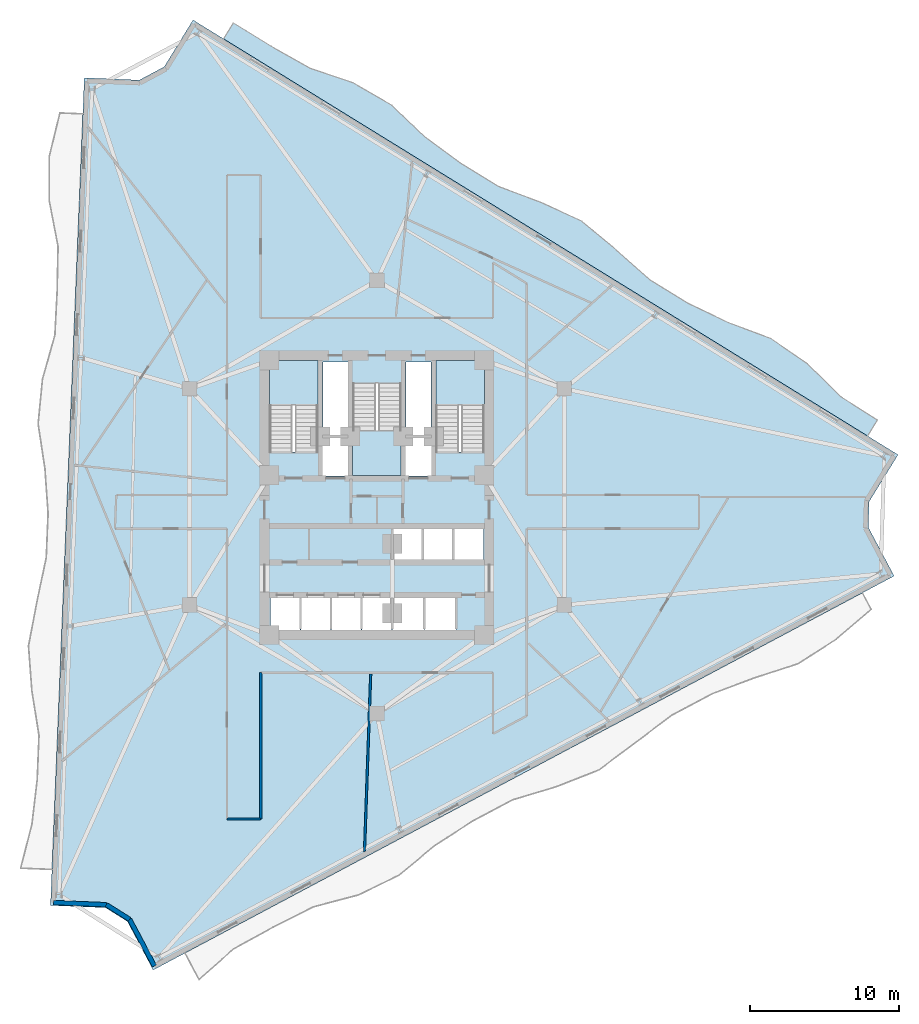
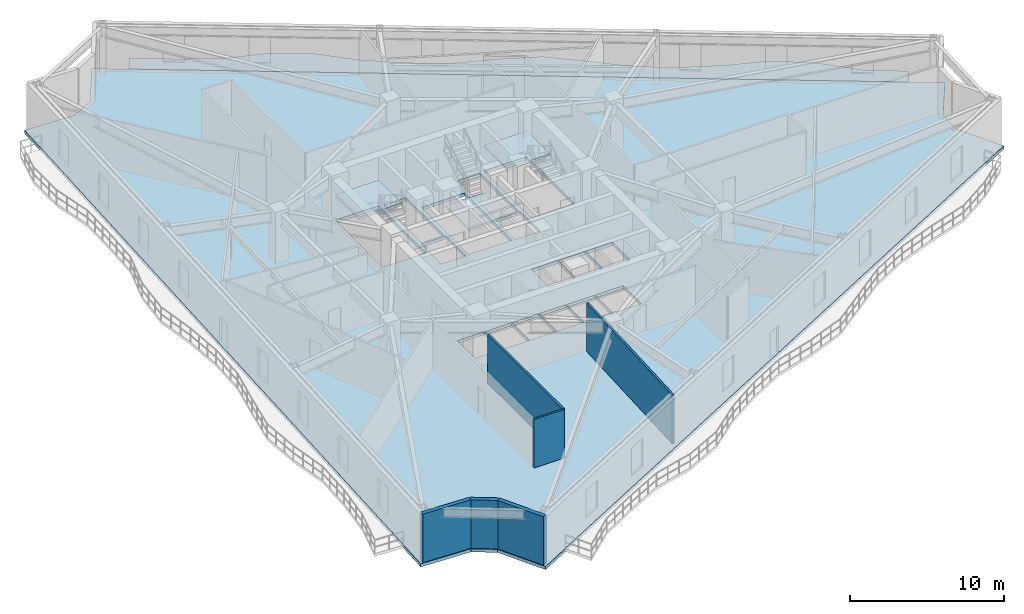
# One storey, part 4 of 12: 6 walls, 5 slabs, 3 elements without a shape of their own.
"""IFC4 building model written with IfcOpenShell, lengths in metres."""

from ifc_helpers import new_model, si_unit, direction, frame, frame_2d, origin, place, context, subcontext, project, spatial, polyline, rectangle, outline, extrude, material, layer, layer_set, type_object, element, aggregate, save


model = new_model("IFC4")

# Units and contexts
model_context = context("Model", 3, precision=1e-05, world=origin(), true_north=direction((0.0, 1.0)))
body_context = subcontext(model_context, "Body", "Model", "MODEL_VIEW")
ifc_project = project(units=[si_unit("LENGTHUNIT", "METRE"), si_unit("AREAUNIT", "SQUARE_METRE"), si_unit("VOLUMEUNIT", "CUBIC_METRE"), si_unit("PLANEANGLEUNIT", "RADIAN"), si_unit("MASSUNIT", "GRAM", prefix="KILO")], contexts=[model_context])

# Site, building, storey
site_placement = place(None, origin())
site = spatial("IfcSite", under=ifc_project, at=site_placement, CompositionType="ELEMENT")
building_placement = place(site_placement, origin())
building = spatial("IfcBuilding", under=site, at=building_placement, Name="Apsidion Concourse Tower", CompositionType="ELEMENT")
storey_placement = place(building_placement, frame((0.0, 0.0, 173.699951171875)))
storey = spatial("IfcBuildingStorey", under=building, at=storey_placement, Name="L40", CompositionType="ELEMENT", Elevation=173.699951171875)

# Slabs
ifc_material_1 = material(Name="Concrete C50/60", Category="concrete")
ifc_layer_1 = layer(ifc_material_1, 0.219970703125)
ifc_layer_set_1 = layer_set([ifc_layer_1], Name="Concrete C50/60")
slab_type_1 = type_object("IfcSlabType", Name="SL-BAL-220", PredefinedType="FLOOR", material=ifc_layer_set_1)
slab_1_placement = place(storey_placement, frame((0.0, 0.0, -0.219970703125)))
element("IfcSlab", 1, at=slab_1_placement, inside=storey, type_object=slab_type_1, Name="L40 Face 3 Rippling Balcony Slab", PredefinedType="FLOOR", context=body_context, shape_type="SweptSolid", body=[
    extrude(outline(polyline([(32.885498046875, 4.086669921875), (30.346435546875, 5.652587890625), (27.8076171875, 7.21826171875), (25.2685546875, 8.783935546875), (22.7294921875, 10.349609375), (20.1904296875, 11.91552734375), (17.651611328125, 13.481201171875), (15.112548828125, 15.047119140625), (12.573486328125, 16.61279296875), (10.034423828125, 18.178466796875), (7.495361328125, 19.744140625), (4.956298828125, 21.31005859375), (2.41748046875, 22.875732421875), (-0.12158203125, 24.44140625), (-2.66064453125, 26.007080078125), (-5.19970703125, 27.572998046875), (-7.738525390625, 29.138671875), (-10.277587890625, 30.70458984375), (-9.62158203125, 31.768310546875), (-7.08251953125, 30.20263671875), (-4.484375, 28.73291015625), (-1.584228515625, 27.752685546875), (0.99462890625, 26.251708984375), (3.20361328125, 24.150634765625), (5.612548828125, 22.373779296875), (8.151611328125, 20.80810546875), (10.997314453125, 19.739990234375), (13.727783203125, 18.484619140625), (16.041748046875, 16.553955078125), (18.3076171875, 14.545166015625), (20.8466796875, 12.9794921875), (23.55224609375, 11.683837890625), (26.39990234375, 10.61865234375), (28.859130859375, 8.923583984375), (31.02734375, 6.756591796875), (33.54150390625, 5.150634765625), (32.885498046875, 4.086669921875)])), origin(), (0.0, 0.0, 1.0), 0.219970703125),
])
ifc_layer_2 = layer(ifc_material_1, 0.25)
ifc_layer_set_2 = layer_set([ifc_layer_2], Name="Concrete C50/60")
slab_type_2 = type_object("IfcSlabType", Name="SL-FLR-250", PredefinedType="FLOOR", material=ifc_layer_set_2)
slab_2_placement = place(storey_placement, frame((0.0, 0.0, -0.25)))
element("IfcSlab", 2, at=slab_2_placement, inside=storey, type_object=slab_type_2, Name="L40 Structural Floor Slab", PredefinedType="FLOOR", context=body_context, shape_type="SweptSolid", body=[
    extrude(outline(polyline([(-12.3203125, 31.964111328125), (-14.256103515625, 28.824951171875), (-15.925048828125, 27.937744140625), (-19.610107421875, 28.088134765625), (-21.87548828125, -27.376220703125), (-18.1904296875, -27.526611328125), (-16.724609375, -28.448486328125), (-14.9931640625, -31.705078125), (34.668701171875, -5.29931640625), (32.937255859375, -2.04296875), (32.992431640625, -0.31201171875), (34.92822265625, 2.826904296875), (-12.3203125, 31.964111328125)]), holes=[polyline([(-3.949951171875, 3.0), (-3.949951171875, 9.14990234375), (-7.199951171875, 9.14990234375), (-7.199951171875, 3.0), (-3.949951171875, 3.0)]), polyline([(7.199951171875, 3.0), (7.199951171875, 9.14990234375), (3.949951171875, 9.14990234375), (3.949951171875, 3.0), (7.199951171875, 3.0)]), polyline([(-1.625, 7.60009765625), (-1.625, 1.449951171875), (1.625, 1.449951171875), (1.625, 7.60009765625), (-1.625, 7.60009765625)]), polyline([(1.054931640625, -4.300048828125), (3.044921875, -4.300048828125), (3.044921875, -2.050048828125), (1.054931640625, -2.050048828125), (1.054931640625, -4.300048828125)]), polyline([(3.10498046875, -4.300048828125), (5.094970703125, -4.300048828125), (5.094970703125, -2.050048828125), (3.10498046875, -2.050048828125), (3.10498046875, -4.300048828125)]), polyline([(5.155029296875, -4.300048828125), (7.14501953125, -4.300048828125), (7.14501953125, -2.050048828125), (5.155029296875, -2.050048828125), (5.155029296875, -4.300048828125)]), polyline([(-7.14501953125, -8.949951171875), (-5.155029296875, -8.949951171875), (-5.155029296875, -6.64990234375), (-7.14501953125, -6.64990234375), (-7.14501953125, -8.949951171875)]), polyline([(-5.094970703125, -8.949951171875), (-3.10498046875, -8.949951171875), (-3.10498046875, -6.64990234375), (-5.094970703125, -6.64990234375), (-5.094970703125, -8.949951171875)]), polyline([(-3.044921875, -8.949951171875), (-1.054931640625, -8.949951171875), (-1.054931640625, -6.64990234375), (-3.044921875, -6.64990234375), (-3.044921875, -8.949951171875)]), polyline([(-0.9951171875, -8.949951171875), (0.9951171875, -8.949951171875), (0.9951171875, -6.64990234375), (-0.9951171875, -6.64990234375), (-0.9951171875, -8.949951171875)]), polyline([(1.044921875, -9.0), (3.155029296875, -9.0), (3.155029296875, -6.64990234375), (1.044921875, -6.64990234375), (1.044921875, -9.0)]), polyline([(3.195068359375, -9.0), (5.304931640625, -9.0), (5.304931640625, -6.64990234375), (3.195068359375, -6.64990234375), (3.195068359375, -9.0)]), polyline([(-3.7099609375, 1.39990234375), (-1.85009765625, 1.39990234375), (-1.85009765625, 4.0), (-3.7099609375, 4.0), (-3.7099609375, 1.39990234375)]), polyline([(1.85009765625, 1.39990234375), (3.7099609375, 1.39990234375), (3.7099609375, 4.0), (1.85009765625, 4.0), (1.85009765625, 1.39990234375)]), polyline([(-3.6201171875, 4.14990234375), (-1.93994140625, 4.14990234375), (-1.93994140625, 9.050048828125), (-3.6201171875, 9.050048828125), (-3.6201171875, 4.14990234375)]), polyline([(1.93994140625, 4.14990234375), (3.6201171875, 4.14990234375), (3.6201171875, 9.050048828125), (1.93994140625, 9.050048828125), (1.93994140625, 4.14990234375)])]), origin(), (0.0, 0.0, 1.0), 0.25),
])

# Stair, slab
ifc_material_2 = material(Name="Precast concrete C40/50", Category="concrete")
stair_type = type_object("IfcStairType", Name="ST-DL-1550", PredefinedType="HALF_TURN_STAIR", material=ifc_material_2)
stair_1_placement = place(storey_placement, origin())
stair_1 = element("IfcStair", 3, at=stair_1_placement, inside=storey, type_object=stair_type, Name="L40 Protected Core Exit Stair ST1", PredefinedType="HALF_TURN_STAIR")
ifc_layer_3 = layer(ifc_material_1, 0.199951171875)
ifc_layer_set_3 = layer_set([ifc_layer_3], Name="Concrete C50/60")
slab_type_3 = type_object("IfcSlabType", Name="SL-ST-LAND-200", PredefinedType="LANDING", material=ifc_layer_set_3)
slab_3_placement = place(storey_placement, frame((0.0, 0.0, 1.85009765625)))
slab_3 = element("IfcSlab", 4, at=slab_3_placement, type_object=slab_type_3, Name="ST1 landing 1", PredefinedType="LANDING", context=body_context, shape_type="SweptSolid", body=[
    extrude(outline(polyline([(-3.949951171875, 6.135009765625), (-3.949951171875, 9.14990234375), (-7.199951171875, 9.14990234375), (-7.199951171875, 6.135009765625), (-3.949951171875, 6.135009765625)])), origin(), (0.0, 0.0, 1.0), 0.199951171875),
])
aggregate(stair_1, [slab_3])

stair_2_placement = place(storey_placement, origin())
stair_2 = element("IfcStair", 5, at=stair_2_placement, inside=storey, type_object=stair_type, Name="L40 Protected Core Exit Stair ST2", PredefinedType="HALF_TURN_STAIR")
slab_4_placement = place(storey_placement, frame((0.0, 0.0, 1.85009765625)))
slab_4 = element("IfcSlab", 6, at=slab_4_placement, type_object=slab_type_3, Name="ST2 landing 1", PredefinedType="LANDING", context=body_context, shape_type="SweptSolid", body=[
    extrude(outline(polyline([(7.199951171875, 6.135009765625), (7.199951171875, 9.14990234375), (3.949951171875, 9.14990234375), (3.949951171875, 6.135009765625), (7.199951171875, 6.135009765625)])), origin(), (0.0, 0.0, 1.0), 0.199951171875),
])
aggregate(stair_2, [slab_4])

stair_3_placement = place(storey_placement, origin())
stair_3 = element("IfcStair", 7, at=stair_3_placement, inside=storey, type_object=stair_type, Name="L40 Protected Core Exit Stair ST3", PredefinedType="HALF_TURN_STAIR")
slab_5_placement = place(storey_placement, frame((0.0, 0.0, 1.85009765625)))
slab_5 = element("IfcSlab", 8, at=slab_5_placement, type_object=slab_type_3, Name="ST3 landing 1", PredefinedType="LANDING", context=body_context, shape_type="SweptSolid", body=[
    extrude(outline(polyline([(-1.625, 4.465087890625), (-1.625, 1.449951171875), (1.625, 1.449951171875), (1.625, 4.465087890625), (-1.625, 4.465087890625)])), origin(), (0.0, 0.0, 1.0), 0.199951171875),
])
aggregate(stair_3, [slab_5])

# Walls
ifc_layer_4 = layer(ifc_material_2, 0.300048828125)
ifc_layer_set_4 = layer_set([ifc_layer_4], Name="Precast concrete C40/50")
wall_type_1 = type_object("IfcWallType", Name="WL-EXT-300", PredefinedType="STANDARD", material=ifc_layer_set_4)
wall_1_placement = place(storey_placement, frame((-14.910400390625, -31.4345703125, 0.0), z_axis=(0.0, 0.0, 1.0), x_axis=(-0.469464339615, 0.882951433449, 0.0)))
element("IfcWall", 9, at=wall_1_placement, inside=storey, type_object=wall_type_1, Name="L40 Precast Stone Facade Wall 06", PredefinedType="STANDARD", context=body_context, shape_type="SweptSolid", body=[
    extrude(rectangle(XDim=3.54150390625, YDim=0.300048828125, at=frame_2d((1.770751953125, 0.0))), origin(), (0.0, 0.0, 1.0), 3.85009765625),
])
wall_2_placement = place(storey_placement, frame((-16.572998046875, -28.3076171875, 0.0), z_axis=(0.0, 0.0, 1.0), x_axis=(-0.846450132201, 0.53246800251, 0.0)))
element("IfcWall", 10, at=wall_2_placement, inside=storey, type_object=wall_type_1, Name="L40 Precast Stone Facade Wall 07", PredefinedType="STANDARD", context=body_context, shape_type="SweptSolid", body=[
    extrude(rectangle(XDim=1.838134765625, YDim=0.300048828125, at=frame_2d((0.9189453125, 0.0))), origin(), (0.0, 0.0, 1.0), 3.85009765625),
])
wall_3_placement = place(storey_placement, frame((-18.12890625, -27.328857421875, 0.0), z_axis=(0.0, 0.0, 1.0), x_axis=(-0.999166906151, 0.040810460083, 0.0)))
element("IfcWall", 11, at=wall_3_placement, inside=storey, type_object=wall_type_1, Name="L40 Precast Stone Facade Wall 08", PredefinedType="STANDARD", context=body_context, shape_type="SweptSolid", body=[
    extrude(rectangle(XDim=3.54150390625, YDim=0.300048828125, at=frame_2d((1.770751953125, 0.0))), origin(), (0.0, 0.0, 1.0), 3.85009765625),
])
ifc_material_3 = material(Name="Gypsum plasterboard partition")
ifc_layer_5 = layer(ifc_material_3, 0.14990234375)
ifc_layer_set_5 = layer_set([ifc_layer_5], Name="Gypsum plasterboard partition")
wall_type_2 = type_object("IfcWallType", Name="WL-INT-PAR-150", PredefinedType="PARTITIONING", material=ifc_layer_set_5)
wall_4_placement = place(storey_placement, frame((-7.7900390625, -11.77490234375, 0.0), z_axis=(0.0, 0.0, 1.0), x_axis=(0.0, -1.0, 0.0)))
element("IfcWall", 12, at=wall_4_placement, inside=storey, type_object=wall_type_2, Name="L40 Interior Partition WL-L40-CORR-04", PredefinedType="PARTITIONING", context=body_context, shape_type="SweptSolid", body=[
    extrude(rectangle(XDim=9.80517578125, YDim=0.14990234375, at=frame_2d((4.902587890625, 0.0))), origin(), (0.0, 0.0, 1.0), 3.85009765625),
])
wall_5_placement = place(storey_placement, frame((-7.7900390625, -21.580078125, 0.0), z_axis=(0.0, 0.0, 1.0), x_axis=(-1.0, 0.0, 0.0)))
element("IfcWall", 13, at=wall_5_placement, inside=storey, type_object=wall_type_2, Name="L40 Interior Partition WL-L40-CORR-05", PredefinedType="PARTITIONING", context=body_context, shape_type="SweptSolid", body=[
    extrude(rectangle(XDim=2.260009765625, YDim=0.14990234375, at=frame_2d((1.1298828125, 0.0))), origin(), (0.0, 0.0, 1.0), 3.85009765625),
])
wall_6_placement = place(storey_placement, frame((-0.414794921875, -11.8798828125, 0.0), z_axis=(0.0, 0.0, 1.0), x_axis=(-0.03489161357, -0.999391102273, 0.0)))
element("IfcWall", 14, at=wall_6_placement, inside=storey, type_object=wall_type_2, Name="L40 Interior Partition WL-L40-RAD-07-1", PredefinedType="PARTITIONING", context=body_context, shape_type="SweptSolid", body=[
    extrude(rectangle(XDim=11.88818359375, YDim=0.14990234375, at=frame_2d((5.944091796875, 0.0))), origin(), (0.0, 0.0, 1.0), 3.85009765625),
])

save(model, "model.ifc")
